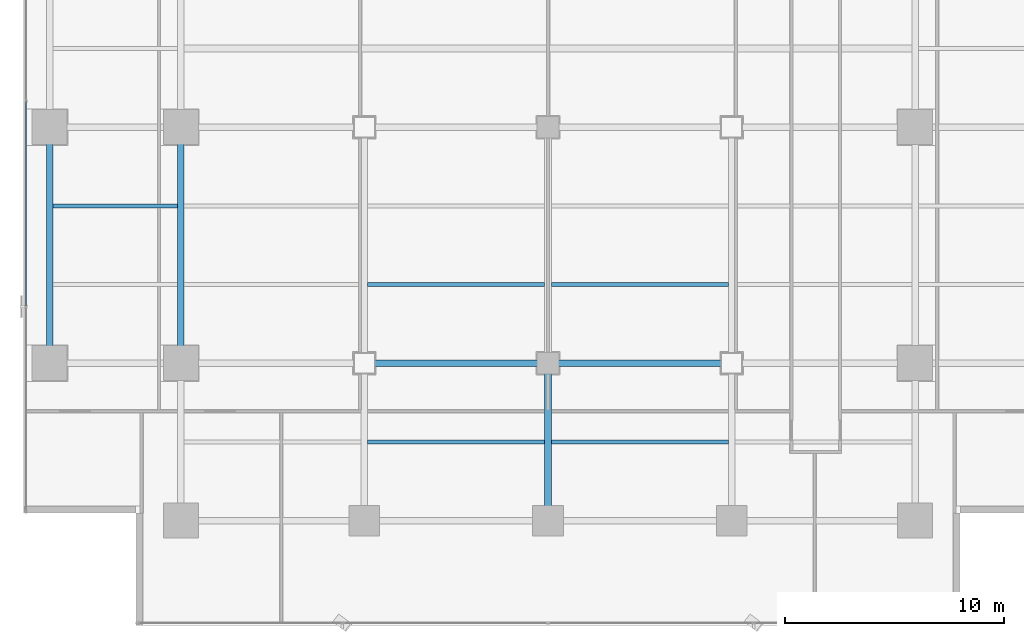
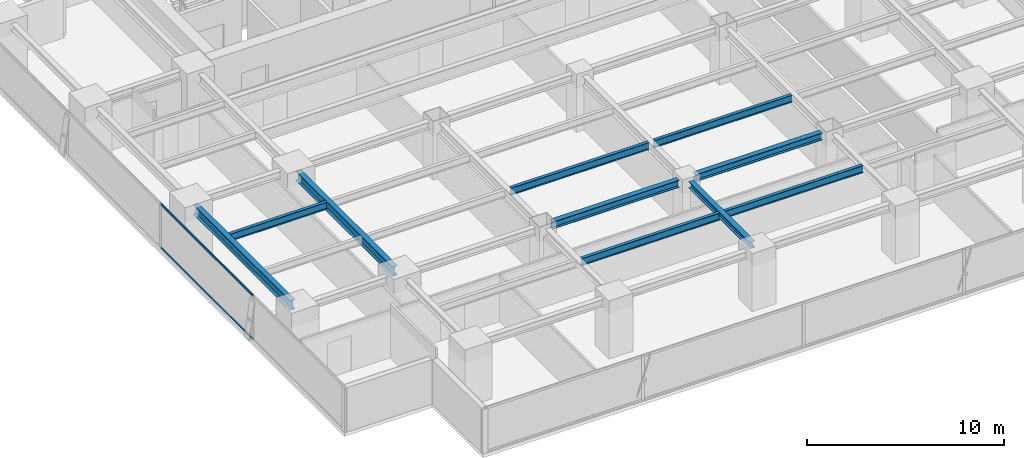
# One storey, part 6 of 28: 10 beams, 2 members, 1 element without a shape of its own.
"""IFC4 building model written with IfcOpenShell, lengths in metres."""

from ifc_helpers import new_model, si_unit, direction, frame, origin, origin_2d, place, context, subcontext, project, spatial, hollow_rectangle, i_section, extrude, source, transform, mapped, material, layer, layer_set, material_profile, profile_set, type_object, element, aggregate, save


model = new_model("IFC4")

# Units and contexts
model_context = context("Model", 3, precision=1e-05, world=origin(), true_north=direction((0.0, 1.0)))
body_context = subcontext(model_context, "Body", "Model", "MODEL_VIEW")
ifc_project = project(units=[si_unit("LENGTHUNIT", "METRE"), si_unit("AREAUNIT", "SQUARE_METRE"), si_unit("VOLUMEUNIT", "CUBIC_METRE"), si_unit("PLANEANGLEUNIT", "RADIAN"), si_unit("MASSUNIT", "GRAM", prefix="KILO")], contexts=[model_context])

# Site, building, storey
site_placement = place(None, origin())
site = spatial("IfcSite", under=ifc_project, at=site_placement, CompositionType="ELEMENT")
building_placement = place(site_placement, origin())
building = spatial("IfcBuilding", under=site, at=building_placement, Name="Sumidabori Civic Tower", CompositionType="ELEMENT")
storey_placement = place(building_placement, frame((0.0, 0.0, 182.0)))
storey = spatial("IfcBuildingStorey", under=building, at=storey_placement, Name="L47", CompositionType="ELEMENT", Elevation=182.0)

# Beams
ifc_material_1 = material(Name="Steel SN490", Category="steel")
ifc_material_profile_1 = material_profile(ifc_material_1, i_section(OverallWidth=0.300048828125, OverallDepth=0.39990234375, WebThickness=0.013427734375, FlangeThickness=0.02392578125, at=origin_2d()), Name="HE 400 B")
ifc_profile_set_1 = profile_set([ifc_material_profile_1], Name="Steel SN490")
beam_type_1 = type_object("IfcBeamType", Name="BM-GIRD-400", PredefinedType="BEAM", material=ifc_profile_set_1)
shared_shape_1 = source(origin(), body_context, "Body", "SweptSolid", [
    extrude(i_section(OverallWidth=0.300048828125, OverallDepth=0.39990234375, WebThickness=0.013427734375, FlangeThickness=0.02392578125, at=origin_2d()), origin(), (0.0, 0.0, 1.0), 6.239990234375),
])
beam_1_placement = place(storey_placement, frame((0.0, -17.52001953125, 3.179931640625), z_axis=(0.0, 1.0, 0.0), x_axis=(-1.0, 0.0, 0.0)))
element("IfcBeam", 1, at=beam_1_placement, inside=storey, type_object=beam_type_1, Name="Primary Girder L47 GY-28", PredefinedType="BEAM", context=body_context, shape_type="MappedRepresentation", body=[
    mapped(shared_shape_1, transform((0.0, 0.0, 0.0), x_axis=(1.0, 0.0, 0.0), y_axis=(0.0, 1.0, 0.0), z_axis=(0.0, 0.0, 1.0), scale=1.0)),
])
ifc_material_profile_2 = material_profile(ifc_material_1, i_section(OverallWidth=0.300048828125, OverallDepth=0.60009765625, WebThickness=0.015380859375, FlangeThickness=0.030029296875, at=origin_2d()), Name="HE 600 B")
ifc_profile_set_2 = profile_set([ifc_material_profile_2], Name="Steel SN490")
beam_type_2 = type_object("IfcBeamType", Name="BM-GIRD-600", PredefinedType="BEAM", material=ifc_profile_set_2)
shared_shape_2 = source(origin(), body_context, "Body", "SweptSolid", [
    extrude(i_section(OverallWidth=0.300048828125, OverallDepth=0.60009765625, WebThickness=0.015380859375, FlangeThickness=0.030029296875, at=origin_2d()), origin(), (0.0, 0.0, 1.0), 9.840087890625),
])
for number, where, z_axis, x_axis, name in (
    (2, (-22.800048828125, -10.320068359375, 3.080078125), (0.0, 1.0, 0.0), (-1.0, 0.0, 0.0), "Primary Girder L47 GY-19"),
    (3, (-16.800048828125, -10.320068359375, 3.080078125), (0.0, 1.0, 0.0), (-1.0, 0.0, 0.0), "Primary Girder L47 GY-23"),
):
    element("IfcBeam", number, at=place(storey_placement, frame(where, z_axis=z_axis, x_axis=x_axis)), inside=storey, type_object=beam_type_2, Name=name, PredefinedType="BEAM", context=body_context, shape_type="MappedRepresentation", body=[
        mapped(shared_shape_2, transform((0.0, 0.0, 0.0), x_axis=(1.0, 0.0, 0.0), y_axis=(0.0, 1.0, 0.0), z_axis=(0.0, 0.0, 1.0), scale=1.0)),
    ])
ifc_material_profile_3 = material_profile(ifc_material_1, i_section(OverallWidth=0.18994140625, OverallDepth=0.449951171875, WebThickness=0.009521484375, FlangeThickness=0.0146484375, at=origin_2d()), Name="IPE 450")
ifc_profile_set_3 = profile_set([ifc_material_profile_3], Name="Steel SN490")
beam_type_3 = type_object("IfcBeamType", Name="BM-JST-450", PredefinedType="JOIST", material=ifc_profile_set_3)
shared_shape_3 = source(origin(), body_context, "Body", "SweptSolid", [
    extrude(i_section(OverallWidth=0.18994140625, OverallDepth=0.449951171875, WebThickness=0.009521484375, FlangeThickness=0.0146484375, at=origin_2d()), origin(), (0.0, 0.0, 1.0), 5.699951171875),
])
beam_2_placement = place(storey_placement, frame((-22.64990234375, -3.60009765625, 3.155029296875), z_axis=(1.0, 0.0, 0.0), x_axis=(0.0, 1.0, 0.0)))
element("IfcBeam", 4, at=beam_2_placement, inside=storey, type_object=beam_type_3, Name="Outer Bay Floor Joist L47 JSTO-41", PredefinedType="JOIST", context=body_context, shape_type="MappedRepresentation", body=[
    mapped(shared_shape_3, transform((0.0, 0.0, 0.0), x_axis=(1.0, 0.0, 0.0), y_axis=(0.0, 1.0, 0.0), z_axis=(0.0, 0.0, 1.0), scale=1.0)),
])
shared_shape_4 = source(origin(), body_context, "Body", "SweptSolid", [
    extrude(i_section(OverallWidth=0.18994140625, OverallDepth=0.449951171875, WebThickness=0.009521484375, FlangeThickness=0.0146484375, at=origin_2d()), origin(), (0.0, 0.0, 1.0), 8.10009765625),
])
for number, where, z_axis, x_axis, name in (
    (5, (-8.25, -14.39990234375, 3.155029296875), (1.0, 0.0, 0.0), (0.0, 1.0, 0.0), "South Bay Floor Joist L47 JSTS-50"),
    (6, (0.14990234375, -14.39990234375, 3.155029296875), (1.0, 0.0, 0.0), (0.0, 1.0, 0.0), "South Bay Floor Joist L47 JSTS-51"),
    (7, (-8.25, -7.199951171875, 3.155029296875), (1.0, 0.0, 0.0), (0.0, 1.0, 0.0), "South Bay Floor Joist L47 JSTS-54"),
    (8, (0.14990234375, -7.199951171875, 3.155029296875), (1.0, 0.0, 0.0), (0.0, 1.0, 0.0), "South Bay Floor Joist L47 JSTS-55"),
):
    element("IfcBeam", number, at=place(storey_placement, frame(where, z_axis=z_axis, x_axis=x_axis)), inside=storey, type_object=beam_type_3, Name=name, PredefinedType="JOIST", context=body_context, shape_type="MappedRepresentation", body=[
        mapped(shared_shape_4, transform((0.0, 0.0, 0.0), x_axis=(1.0, 0.0, 0.0), y_axis=(0.0, 1.0, 0.0), z_axis=(0.0, 0.0, 1.0), scale=1.0)),
    ])
ifc_material_profile_4 = material_profile(ifc_material_1, i_section(OverallWidth=0.300048828125, OverallDepth=0.449951171875, WebThickness=0.013916015625, FlangeThickness=0.02587890625, at=origin_2d()), Name="HE 450 B")
ifc_profile_set_4 = profile_set([ifc_material_profile_4], Name="Steel SN490")
beam_type_4 = type_object("IfcBeamType", Name="BM-GIRD-450", PredefinedType="BEAM", material=ifc_profile_set_4)
shared_shape_5 = source(origin(), body_context, "Body", "SweptSolid", [
    extrude(i_section(OverallWidth=0.300048828125, OverallDepth=0.449951171875, WebThickness=0.013916015625, FlangeThickness=0.02587890625, at=origin_2d()), origin(), (0.0, 0.0, 1.0), 7.43994140625),
])
for number, where, z_axis, x_axis, name in (
    (9, (-7.919921875, -10.800048828125, 3.155029296875), (1.0, 0.0, 0.0), (0.0, 1.0, 0.0), "Primary Girder L47 GX-07"),
    (10, (0.47998046875, -10.800048828125, 3.155029296875), (1.0, 0.0, 0.0), (0.0, 1.0, 0.0), "Primary Girder L47 GX-08"),
):
    element("IfcBeam", number, at=place(storey_placement, frame(where, z_axis=z_axis, x_axis=x_axis)), inside=storey, type_object=beam_type_4, Name=name, PredefinedType="BEAM", context=body_context, shape_type="MappedRepresentation", body=[
        mapped(shared_shape_5, transform((0.0, 0.0, 0.0), x_axis=(1.0, 0.0, 0.0), y_axis=(0.0, 1.0, 0.0), z_axis=(0.0, 0.0, 1.0), scale=1.0)),
    ])

# Curtain wall, members
ifc_material_2 = material(Name="Anodised Bronze Aluminium AW-6063-T6", Category="aluminium")
ifc_layer = layer(ifc_material_2, 0.179931640625, Name="Anodised Bronze Aluminium AW-6063-T6")
ifc_layer_set = layer_set([ifc_layer], Name="Anodised Bronze Aluminium AW-6063-T6")
curtain_wall_type = type_object("IfcCurtainWallType", Name="CW-SYS-3", PredefinedType="NOTDEFINED", material=ifc_layer_set)
curtain_wall_placement = place(storey_placement, origin())
curtain_wall = element("IfcCurtainWall", 11, at=curtain_wall_placement, inside=storey, type_object=curtain_wall_type, Name="Curtain Wall CW:L47:R10", PredefinedType="NOTDEFINED")
ifc_material_profile_5 = material_profile(ifc_material_2, hollow_rectangle(XDim=0.06005859375, YDim=0.1298828125, WallThickness=0.0048828125, at=origin_2d()), Name="ALU TRANSOM 130x60")
ifc_profile_set_5 = profile_set([ifc_material_profile_5], Name="Anodised Bronze Aluminium AW-6063-T6")
member_type = type_object("IfcMemberType", Name="CW-TRN-130", PredefinedType="USERDEFINED", material=ifc_profile_set_5)
shared_shape_6 = source(origin(), body_context, "Body", "SweptSolid", [
    extrude(hollow_rectangle(XDim=0.06005859375, YDim=0.1298828125, WallThickness=0.0048828125, at=origin_2d()), origin(), (0.0, 0.0, 1.0), 9.344970703125),
])
member_1_placement = place(storey_placement, frame((-23.8798828125, 1.16748046875, 0.030029296875), z_axis=(0.0, -1.0, 0.0), x_axis=(1.0, 0.0, 0.0)))
member_1 = element("IfcMember", 12, at=member_1_placement, type_object=member_type, Name="CW-3 transom 3.1", ObjectType="TRANSOM", PredefinedType="USERDEFINED", context=body_context, shape_type="MappedRepresentation", body=[
    mapped(shared_shape_6, transform((0.0, 0.0, 0.0), x_axis=(1.0, 0.0, 0.0), y_axis=(0.0, 1.0, 0.0), z_axis=(0.0, 0.0, 1.0), scale=1.0)),
])
member_2_placement = place(storey_placement, frame((-23.8798828125, 1.16748046875, 2.72998046875), z_axis=(0.0, -1.0, 0.0), x_axis=(1.0, 0.0, 0.0)))
member_2 = element("IfcMember", 13, at=member_2_placement, type_object=member_type, Name="CW-3 transom 3.2", ObjectType="TRANSOM", PredefinedType="USERDEFINED", context=body_context, shape_type="MappedRepresentation", body=[
    mapped(shared_shape_6, transform((0.0, 0.0, 0.0), x_axis=(1.0, 0.0, 0.0), y_axis=(0.0, 1.0, 0.0), z_axis=(0.0, 0.0, 1.0), scale=1.0)),
])
aggregate(curtain_wall, [member_1, member_2])

save(model, "model.ifc")
